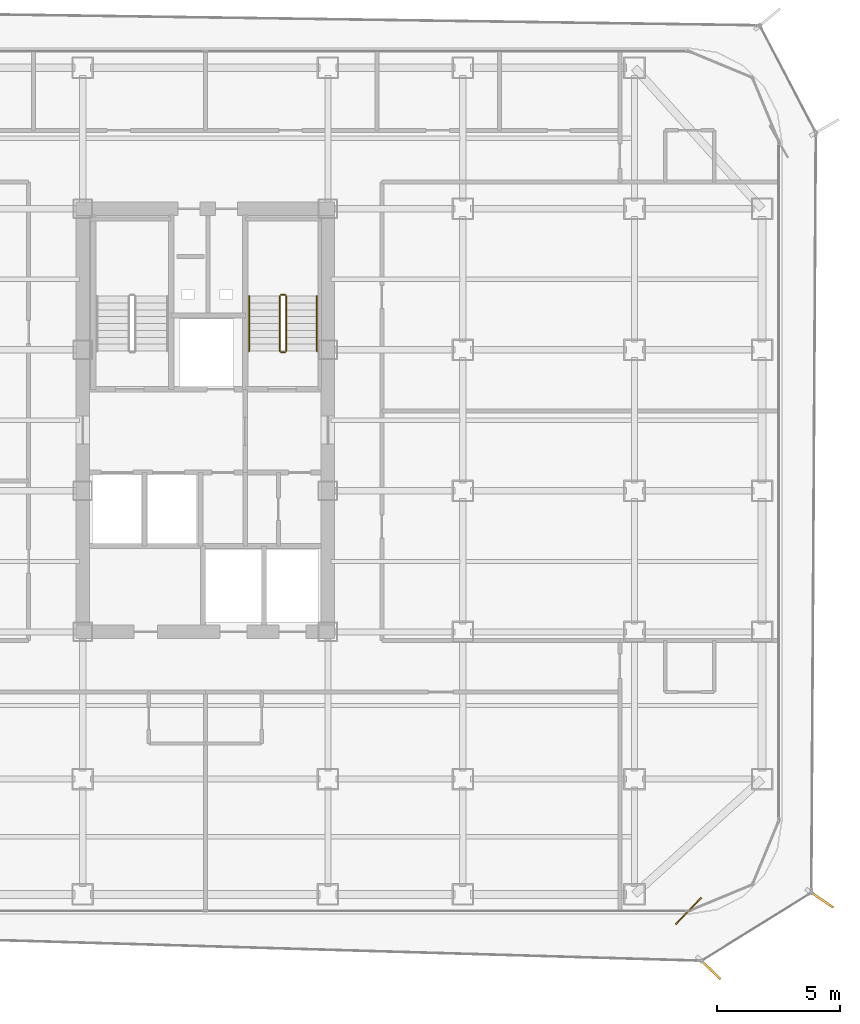
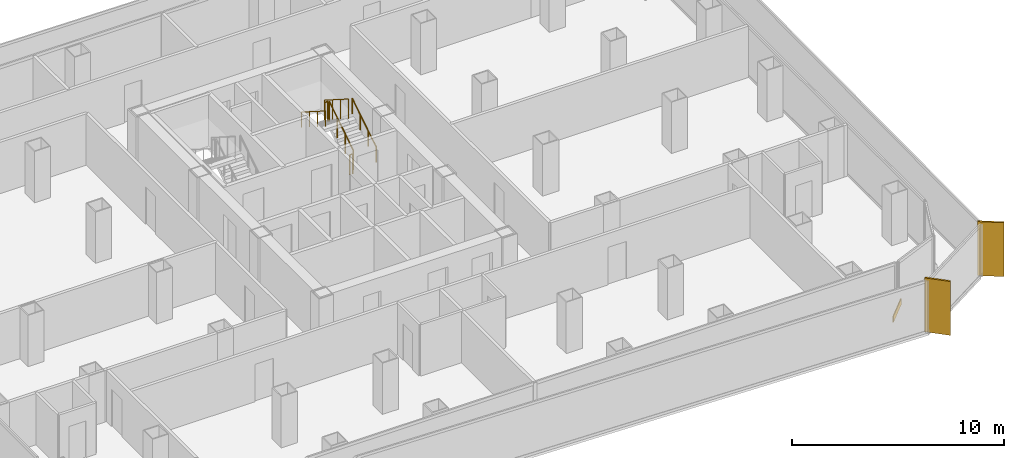
# One storey, part 20 of 21: 6 railings, 2 shading devices, 1 covering.
"""IFC4 building model written with IfcOpenShell, lengths in metres."""

from ifc_helpers import new_model, si_unit, direction, frame, origin, origin_2d, place, context, subcontext, project, spatial, rectangle, circle, extrude, source, transform, mapped, material, layer, layer_set, type_object, element, save


model = new_model("IFC4")

# Units and contexts
model_context = context("Model", 3, precision=1e-05, world=origin(), true_north=direction((0.0, 1.0)))
body_context = subcontext(model_context, "Body", "Model", "MODEL_VIEW")
ifc_project = project(units=[si_unit("LENGTHUNIT", "METRE"), si_unit("AREAUNIT", "SQUARE_METRE"), si_unit("VOLUMEUNIT", "CUBIC_METRE"), si_unit("PLANEANGLEUNIT", "RADIAN"), si_unit("MASSUNIT", "GRAM", prefix="KILO")], contexts=[model_context])

# Site, building, storey
site_placement = place(None, origin())
site = spatial("IfcSite", under=ifc_project, at=site_placement, CompositionType="ELEMENT")
building_placement = place(site_placement, origin())
building = spatial("IfcBuilding", under=site, at=building_placement, Name="Kolveth Station Tower", CompositionType="ELEMENT")
storey_placement = place(building_placement, frame((0.0, 0.0, 131.10009765625)))
storey = spatial("IfcBuildingStorey", under=building, at=storey_placement, Name="L36", CompositionType="ELEMENT", Elevation=131.10009765625)

# Railings
ifc_material_1 = material(Name="Painted Steel S355 balustrade", Category="steel")
railing_type_1 = type_object("IfcRailingType", Name="Guard_GR2", PredefinedType="BALUSTRADE", material=ifc_material_1)
railing_1_placement = place(storey_placement, frame((26.800048828125, 22.949951171875, 0.177734375)))
element("IfcRailing", 1, at=railing_1_placement, inside=storey, type_object=railing_type_1, Name="L36 ST2 stair guard 1", PredefinedType="BALUSTRADE", context=body_context, shape_type="SweptSolid", body=[
    extrude(circle(Radius=0.02392578125, at=origin_2d()), frame((0.0, 0.0, 1.1259765625), z_axis=(0.0, 0.8442293374, 0.53598211339), x_axis=(-1.0, 0.0, 0.0)), (0.0, 0.0, 1.0), 2.6533203125),
    extrude(circle(Radius=0.02099609375, at=origin_2d()), origin(), (0.0, 0.0, 1.0), 1.101806640625),
    extrude(circle(Radius=0.02099609375, at=origin_2d()), frame((0.0, 0.74658203125, 0.47412109375)), (0.0, 0.0, 1.0), 1.101806640625),
    extrude(circle(Radius=0.02099609375, at=origin_2d()), frame((0.0, 1.493408203125, 0.947998046875)), (0.0, 0.0, 1.0), 1.101806640625),
    extrude(circle(Radius=0.02099609375, at=origin_2d()), frame((0.0, 2.239990234375, 1.422119140625)), (0.0, 0.0, 1.0), 1.101806640625),
])
railing_2_placement = place(storey_placement, frame((26.75, 25.239990234375, 1.599853515625)))
element("IfcRailing", 2, at=railing_2_placement, inside=storey, type_object=railing_type_1, Name="L36 ST2 stair guard 2", PredefinedType="BALUSTRADE", context=body_context, shape_type="SweptSolid", body=[
    extrude(circle(Radius=0.02392578125, at=origin_2d()), frame((0.0, 0.0, 1.1259765625), z_axis=(-1.0, 0.0, 0.0), x_axis=(0.0, -1.0, 0.0)), (0.0, 0.0, 1.0), 0.159912109375),
    extrude(circle(Radius=0.02099609375, at=origin_2d()), origin(), (0.0, 0.0, 1.0), 1.101806640625),
    extrude(circle(Radius=0.02099609375, at=origin_2d()), frame((-0.159912109375, 0.0, 0.0)), (0.0, 0.0, 1.0), 1.101806640625),
])
railing_3_placement = place(storey_placement, frame((26.5400390625, 25.18994140625, 1.777587890625)))
element("IfcRailing", 3, at=railing_3_placement, inside=storey, type_object=railing_type_1, Name="L36 ST2 stair guard 3", PredefinedType="BALUSTRADE", context=body_context, shape_type="SweptSolid", body=[
    extrude(circle(Radius=0.02392578125, at=origin_2d()), frame((0.0, 0.0, 1.1259765625), z_axis=(0.0, -0.84418770128, 0.536047689118), x_axis=(1.0, 0.0, 0.0)), (0.0, 0.0, 1.0), 2.6533203125),
    extrude(circle(Radius=0.02099609375, at=origin_2d()), origin(), (0.0, 0.0, 1.0), 1.101806640625),
    extrude(circle(Radius=0.02099609375, at=origin_2d()), frame((0.0, -0.74658203125, 0.47412109375)), (0.0, 0.0, 1.0), 1.101806640625),
    extrude(circle(Radius=0.02099609375, at=origin_2d()), frame((0.0, -1.493408203125, 0.9482421875)), (0.0, 0.0, 1.0), 1.101806640625),
    extrude(circle(Radius=0.02099609375, at=origin_2d()), frame((0.0, -2.239990234375, 1.42236328125)), (0.0, 0.0, 1.0), 1.101806640625),
])
railing_4_placement = place(storey_placement, frame((26.75, 22.89990234375, 0.0)))
element("IfcRailing", 4, at=railing_4_placement, inside=storey, type_object=railing_type_1, Name="L36 ST2 stair guard 4", PredefinedType="BALUSTRADE", context=body_context, shape_type="SweptSolid", body=[
    extrude(circle(Radius=0.02392578125, at=origin_2d()), frame((0.0, 0.0, 1.1259765625), z_axis=(-1.0, 0.0, 0.0), x_axis=(0.0, -1.0, 0.0)), (0.0, 0.0, 1.0), 0.159912109375),
    extrude(circle(Radius=0.02099609375, at=origin_2d()), origin(), (0.0, 0.0, 1.0), 1.101806640625),
    extrude(circle(Radius=0.02099609375, at=origin_2d()), frame((-0.159912109375, 0.0, 0.0)), (0.0, 0.0, 1.0), 1.101806640625),
])
ifc_material_2 = material(Name="Brushed stainless steel", Category="steel")
railing_type_2 = type_object("IfcRailingType", Name="Handrail_HR1", PredefinedType="HANDRAIL", material=ifc_material_2)
railing_5_placement = place(storey_placement, frame((28.050048828125, 22.949951171875, 0.177734375)))
element("IfcRailing", 5, at=railing_5_placement, inside=storey, type_object=railing_type_2, Name="L36 ST2 stair handrail 1", PredefinedType="HANDRAIL", context=body_context, shape_type="SweptSolid", body=[
    extrude(circle(Radius=0.02392578125, at=origin_2d()), frame((0.0, 0.0, 0.8759765625), z_axis=(0.0, 0.8442293374, 0.53598211339), x_axis=(-1.0, 0.0, 0.0)), (0.0, 0.0, 1.0), 2.6533203125),
    extrude(circle(Radius=0.02099609375, at=origin_2d()), origin(), (0.0, 0.0, 1.0), 0.851806640625),
    extrude(circle(Radius=0.02099609375, at=origin_2d()), frame((0.0, 0.74658203125, 0.47412109375)), (0.0, 0.0, 1.0), 0.851806640625),
    extrude(circle(Radius=0.02099609375, at=origin_2d()), frame((0.0, 1.493408203125, 0.947998046875)), (0.0, 0.0, 1.0), 0.851806640625),
    extrude(circle(Radius=0.02099609375, at=origin_2d()), frame((0.0, 2.239990234375, 1.422119140625)), (0.0, 0.0, 1.0), 0.851806640625),
])
railing_6_placement = place(storey_placement, frame((25.2900390625, 25.18994140625, 1.777587890625)))
element("IfcRailing", 6, at=railing_6_placement, inside=storey, type_object=railing_type_2, Name="L36 ST2 stair handrail 2", PredefinedType="HANDRAIL", context=body_context, shape_type="SweptSolid", body=[
    extrude(circle(Radius=0.02392578125, at=origin_2d()), frame((0.0, 0.0, 0.8759765625), z_axis=(0.0, -0.84418770128, 0.536047689118), x_axis=(1.0, 0.0, 0.0)), (0.0, 0.0, 1.0), 2.6533203125),
    extrude(circle(Radius=0.02099609375, at=origin_2d()), origin(), (0.0, 0.0, 1.0), 0.851806640625),
    extrude(circle(Radius=0.02099609375, at=origin_2d()), frame((0.0, -0.74658203125, 0.47412109375)), (0.0, 0.0, 1.0), 0.851806640625),
    extrude(circle(Radius=0.02099609375, at=origin_2d()), frame((0.0, -1.493408203125, 0.9482421875)), (0.0, 0.0, 1.0), 0.851806640625),
    extrude(circle(Radius=0.02099609375, at=origin_2d()), frame((0.0, -2.239990234375, 1.42236328125)), (0.0, 0.0, 1.0), 0.851806640625),
])

# Shading devices
ifc_material_3 = material(Name="Black anodized aluminium 6063-T6", Category="aluminium")
shading_device_type = type_object("IfcShadingDeviceType", Name="FIN_VF1", PredefinedType="USERDEFINED", material=ifc_material_3)
shared_shape_1 = source(origin(), body_context, "Body", "SweptSolid", [
    extrude(rectangle(XDim=1.25, YDim=0.090087890625, at=origin_2d()), origin(), (0.0, 0.0, 1.0), 3.10009765625),
])
for number, where, z_axis, x_axis, name in (
    (7, (44.05810546875, -2.22607421875, -0.000244140625), (0.0, 0.0, 1.0), (0.718975979477, -0.695034920658, 0.0), "L36 Dark-Aluminium Solar Fin 1"),
    (8, (48.5859375, 0.614990234375, -0.000244140625), (0.0, 0.0, 1.0), (0.827276727994, -0.56179463803, 0.0), "L36 Dark-Aluminium Solar Fin 2"),
):
    element("IfcShadingDevice", number, at=place(storey_placement, frame(where, z_axis=z_axis, x_axis=x_axis)), inside=storey, type_object=shading_device_type, Name=name, ObjectType="FIN", PredefinedType="USERDEFINED", context=body_context, shape_type="MappedRepresentation", body=[
        mapped(shared_shape_1, transform((0.0, 0.0, 0.0), x_axis=(1.0, 0.0, 0.0), y_axis=(0.0, 1.0, 0.0), z_axis=(0.0, 0.0, 1.0), scale=1.0)),
    ])

# Covering
ifc_material_4 = material(Name="Charcoal anodized aluminium spandrel cladding", Category="aluminium")
ifc_layer = layer(ifc_material_4, 0.044921875)
ifc_layer_set = layer_set([ifc_layer], Name="Charcoal anodized aluminium spandrel cladding")
covering_type = type_object("IfcCoveringType", Name="Clad_CD1", PredefinedType="CLADDING", material=ifc_layer_set)
shared_shape_2 = source(origin(), body_context, "Body", "SweptSolid", [
    extrude(rectangle(XDim=1.5, YDim=0.044921875, at=origin_2d()), origin(), (0.0, 0.0, 1.0), 0.360107421875),
])
covering_placement = place(storey_placement, frame((43.199951171875, 0.1201171875, 0.0), z_axis=(0.0, 0.0, 1.0), x_axis=(0.695034920658, 0.718975979477, 0.0)))
element("IfcCovering", 9, at=covering_placement, inside=storey, type_object=covering_type, Name="L36 Spandrel Edge Cladding 1", PredefinedType="CLADDING", context=body_context, shape_type="MappedRepresentation", body=[
    mapped(shared_shape_2, transform((0.0, 0.0, 0.0), x_axis=(1.0, 0.0, 0.0), y_axis=(0.0, 1.0, 0.0), z_axis=(0.0, 0.0, 1.0), scale=1.0)),
])

save(model, "model.ifc")
